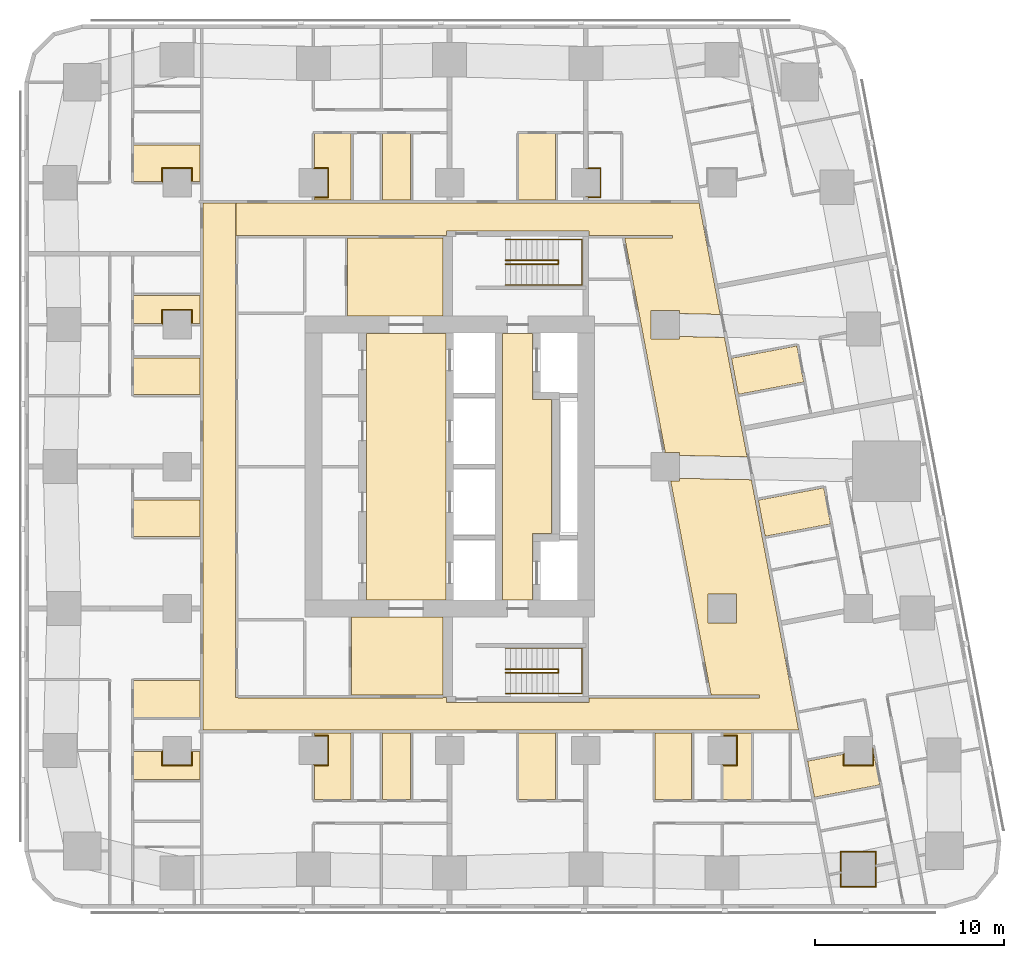
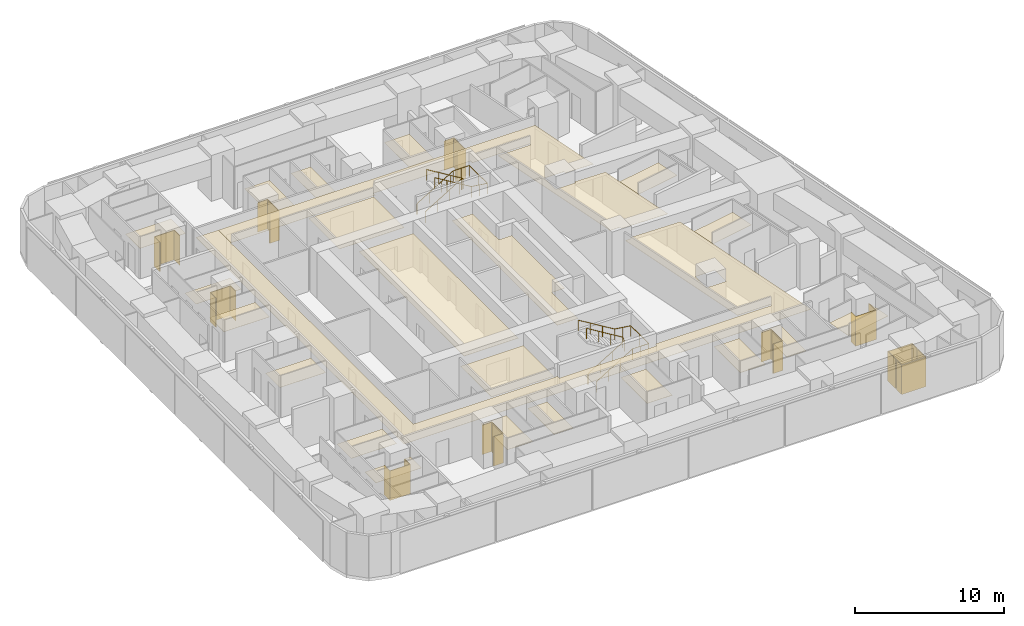
# One storey, part 14 of 15: 33 coverings, 4 railings.
"""IFC4 building model written with IfcOpenShell, lengths in metres."""

from ifc_helpers import new_model, si_unit, direction, frame, origin, origin_2d, place, context, subcontext, project, spatial, polyline, circle, outline, extrude, material, layer, layer_set, type_object, element, save


model = new_model("IFC4")

# Units and contexts
model_context = context("Model", 3, precision=1e-05, world=origin(), true_north=direction((0.0, 1.0)))
body_context = subcontext(model_context, "Body", "Model", "MODEL_VIEW")
ifc_project = project(units=[si_unit("LENGTHUNIT", "METRE"), si_unit("AREAUNIT", "SQUARE_METRE"), si_unit("VOLUMEUNIT", "CUBIC_METRE"), si_unit("PLANEANGLEUNIT", "RADIAN"), si_unit("MASSUNIT", "GRAM", prefix="KILO")], contexts=[model_context])

# Site, building, storey
site_placement = place(None, origin())
site = spatial("IfcSite", under=ifc_project, at=site_placement, CompositionType="ELEMENT")
building_placement = place(site_placement, origin())
building = spatial("IfcBuilding", under=site, at=building_placement, Name="Sheger Commons Tower", CompositionType="ELEMENT")
storey_placement = place(building_placement, frame((0.0, 0.0, 184.550048828125)))
storey = spatial("IfcBuildingStorey", under=building, at=storey_placement, Name="L47", CompositionType="ELEMENT", Elevation=184.550048828125)

# Railings
ifc_material_1 = material(Name="Steel handrail, black powder-coated", Category="steel")
railing_type = type_object("IfcRailingType", Name="HANDRAIL 900", PredefinedType="HANDRAIL", material=ifc_material_1)
railing_1_placement = place(storey_placement, frame((24.550048828125, 11.60009765625, 0.17041015625)))
element("IfcRailing", 1, at=railing_1_placement, inside=storey, type_object=railing_type, Name="Stair S1 handrail L47", PredefinedType="HANDRAIL", context=body_context, shape_type="SweptSolid", body=[
    extrude(circle(Radius=0.02392578125, at=origin_2d()), frame((0.0, 0.0, 0.8759765625), z_axis=(0.854169791009, 0.0, 0.51999420009), x_axis=(0.0, 1.0, 0.0)), (0.0, 0.0, 1.0), 3.278076171875),
    extrude(circle(Radius=0.02392578125, at=origin_2d()), frame((2.800048828125, 0.0, 2.58056640625), z_axis=(0.0, 0.761090297175, 0.648645943136), x_axis=(-1.0, 0.0, 0.0)), (0.0, 0.0, 1.0), 0.2626953125),
    extrude(circle(Radius=0.02392578125, at=origin_2d()), frame((2.800048828125, 0.199951171875, 2.7509765625), z_axis=(-0.854169791009, 0.0, 0.51999420009), x_axis=(0.0, -1.0, 0.0)), (0.0, 0.0, 1.0), 3.278076171875),
    extrude(circle(Radius=0.02099609375, at=origin_2d()), origin(), (0.0, 0.0, 1.0), 0.851806640625),
    extrude(circle(Radius=0.02099609375, at=origin_2d()), frame((0.933349609375, 0.0, 0.568115234375)), (0.0, 0.0, 1.0), 0.851806640625),
    extrude(circle(Radius=0.02099609375, at=origin_2d()), frame((1.86669921875, 0.0, 1.136474609375)), (0.0, 0.0, 1.0), 0.851806640625),
    extrude(circle(Radius=0.02099609375, at=origin_2d()), frame((2.800048828125, 0.0, 1.70458984375)), (0.0, 0.0, 1.0), 0.851806640625),
    extrude(circle(Radius=0.02099609375, at=origin_2d()), frame((2.800048828125, 0.199951171875, 1.875)), (0.0, 0.0, 1.0), 0.851806640625),
    extrude(circle(Radius=0.02099609375, at=origin_2d()), frame((1.86669921875, 0.199951171875, 2.443115234375)), (0.0, 0.0, 1.0), 0.851806640625),
    extrude(circle(Radius=0.02099609375, at=origin_2d()), frame((0.933349609375, 0.199951171875, 3.011474609375)), (0.0, 0.0, 1.0), 0.851806640625),
    extrude(circle(Radius=0.02099609375, at=origin_2d()), frame((0.0, 0.199951171875, 3.57958984375)), (0.0, 0.0, 1.0), 0.851806640625),
])
railing_2_placement = place(storey_placement, frame((24.550048828125, 10.5, 0.17041015625)))
element("IfcRailing", 2, at=railing_2_placement, inside=storey, type_object=railing_type, Name="Stair S1 handrail L47", PredefinedType="HANDRAIL", context=body_context, shape_type="SweptSolid", body=[
    extrude(circle(Radius=0.02392578125, at=origin_2d()), frame((0.0, 0.0, 0.8759765625), z_axis=(0.854169791009, 0.0, 0.51999420009), x_axis=(0.0, 1.0, 0.0)), (0.0, 0.0, 1.0), 3.278076171875),
    extrude(circle(Radius=0.02392578125, at=origin_2d()), frame((2.800048828125, 0.0, 2.58056640625), z_axis=(1.0, 0.0, 0.0), x_axis=(0.0, 1.0, 0.0)), (0.0, 0.0, 1.0), 1.25),
    extrude(circle(Radius=0.02392578125, at=origin_2d()), frame((4.050048828125, 0.0, 2.58056640625), z_axis=(0.0, 1.0, 0.0), x_axis=(-1.0, 0.0, 0.0)), (0.0, 0.0, 1.0), 2.39990234375),
    extrude(circle(Radius=0.02392578125, at=origin_2d()), frame((4.050048828125, 2.39990234375, 2.58056640625), z_axis=(-0.990834877927, 0.0, 0.135078661092), x_axis=(0.0, -1.0, 0.0)), (0.0, 0.0, 1.0), 1.261474609375),
    extrude(circle(Radius=0.02392578125, at=origin_2d()), frame((2.800048828125, 2.39990234375, 2.7509765625), z_axis=(-0.854169791009, 0.0, 0.51999420009), x_axis=(0.0, -1.0, 0.0)), (0.0, 0.0, 1.0), 3.278076171875),
    extrude(circle(Radius=0.02099609375, at=origin_2d()), origin(), (0.0, 0.0, 1.0), 0.851806640625),
    extrude(circle(Radius=0.02099609375, at=origin_2d()), frame((0.933349609375, 0.0, 0.568115234375)), (0.0, 0.0, 1.0), 0.851806640625),
    extrude(circle(Radius=0.02099609375, at=origin_2d()), frame((1.86669921875, 0.0, 1.136474609375)), (0.0, 0.0, 1.0), 0.851806640625),
    extrude(circle(Radius=0.02099609375, at=origin_2d()), frame((2.800048828125, 0.0, 1.70458984375)), (0.0, 0.0, 1.0), 0.851806640625),
    extrude(circle(Radius=0.02099609375, at=origin_2d()), frame((3.425048828125, 0.0, 1.70458984375)), (0.0, 0.0, 1.0), 0.851806640625),
    extrude(circle(Radius=0.02099609375, at=origin_2d()), frame((4.050048828125, 0.0, 1.70458984375)), (0.0, 0.0, 1.0), 0.851806640625),
    extrude(circle(Radius=0.02099609375, at=origin_2d()), frame((4.050048828125, 1.199951171875, 1.70458984375)), (0.0, 0.0, 1.0), 0.851806640625),
    extrude(circle(Radius=0.02099609375, at=origin_2d()), frame((4.050048828125, 2.39990234375, 1.70458984375)), (0.0, 0.0, 1.0), 0.851806640625),
    extrude(circle(Radius=0.02099609375, at=origin_2d()), frame((3.425048828125, 2.39990234375, 1.789794921875)), (0.0, 0.0, 1.0), 0.851806640625),
    extrude(circle(Radius=0.02099609375, at=origin_2d()), frame((2.800048828125, 2.39990234375, 1.875)), (0.0, 0.0, 1.0), 0.851806640625),
    extrude(circle(Radius=0.02099609375, at=origin_2d()), frame((1.86669921875, 2.39990234375, 2.443115234375)), (0.0, 0.0, 1.0), 0.851806640625),
    extrude(circle(Radius=0.02099609375, at=origin_2d()), frame((0.933349609375, 2.39990234375, 3.011474609375)), (0.0, 0.0, 1.0), 0.851806640625),
    extrude(circle(Radius=0.02099609375, at=origin_2d()), frame((0.0, 2.39990234375, 3.57958984375)), (0.0, 0.0, 1.0), 0.851806640625),
])
railing_3_placement = place(storey_placement, frame((24.550048828125, 33.39990234375, 0.17041015625)))
element("IfcRailing", 3, at=railing_3_placement, inside=storey, type_object=railing_type, Name="Stair S2 handrail L47", PredefinedType="HANDRAIL", context=body_context, shape_type="SweptSolid", body=[
    extrude(circle(Radius=0.02392578125, at=origin_2d()), frame((0.0, 0.0, 0.8759765625), z_axis=(0.854169791009, 0.0, 0.51999420009), x_axis=(0.0, 1.0, 0.0)), (0.0, 0.0, 1.0), 3.278076171875),
    extrude(circle(Radius=0.02392578125, at=origin_2d()), frame((2.800048828125, 0.0, 2.58056640625), z_axis=(0.0, -0.761090297175, 0.648645943136), x_axis=(1.0, 0.0, 0.0)), (0.0, 0.0, 1.0), 0.2626953125),
    extrude(circle(Radius=0.02392578125, at=origin_2d()), frame((2.800048828125, -0.199951171875, 2.7509765625), z_axis=(-0.854169791009, 0.0, 0.51999420009), x_axis=(0.0, -1.0, 0.0)), (0.0, 0.0, 1.0), 3.278076171875),
    extrude(circle(Radius=0.02099609375, at=origin_2d()), origin(), (0.0, 0.0, 1.0), 0.851806640625),
    extrude(circle(Radius=0.02099609375, at=origin_2d()), frame((0.933349609375, 0.0, 0.568115234375)), (0.0, 0.0, 1.0), 0.851806640625),
    extrude(circle(Radius=0.02099609375, at=origin_2d()), frame((1.86669921875, 0.0, 1.136474609375)), (0.0, 0.0, 1.0), 0.851806640625),
    extrude(circle(Radius=0.02099609375, at=origin_2d()), frame((2.800048828125, 0.0, 1.70458984375)), (0.0, 0.0, 1.0), 0.851806640625),
    extrude(circle(Radius=0.02099609375, at=origin_2d()), frame((2.800048828125, -0.199951171875, 1.875)), (0.0, 0.0, 1.0), 0.851806640625),
    extrude(circle(Radius=0.02099609375, at=origin_2d()), frame((1.86669921875, -0.199951171875, 2.443115234375)), (0.0, 0.0, 1.0), 0.851806640625),
    extrude(circle(Radius=0.02099609375, at=origin_2d()), frame((0.933349609375, -0.199951171875, 3.011474609375)), (0.0, 0.0, 1.0), 0.851806640625),
    extrude(circle(Radius=0.02099609375, at=origin_2d()), frame((0.0, -0.199951171875, 3.57958984375)), (0.0, 0.0, 1.0), 0.851806640625),
])
railing_4_placement = place(storey_placement, frame((24.550048828125, 34.5, 0.17041015625)))
element("IfcRailing", 4, at=railing_4_placement, inside=storey, type_object=railing_type, Name="Stair S2 handrail L47", PredefinedType="HANDRAIL", context=body_context, shape_type="SweptSolid", body=[
    extrude(circle(Radius=0.02392578125, at=origin_2d()), frame((0.0, 0.0, 0.8759765625), z_axis=(0.854169791009, 0.0, 0.51999420009), x_axis=(0.0, 1.0, 0.0)), (0.0, 0.0, 1.0), 3.278076171875),
    extrude(circle(Radius=0.02392578125, at=origin_2d()), frame((2.800048828125, 0.0, 2.58056640625), z_axis=(1.0, 0.0, 0.0), x_axis=(0.0, 1.0, 0.0)), (0.0, 0.0, 1.0), 1.25),
    extrude(circle(Radius=0.02392578125, at=origin_2d()), frame((4.050048828125, 0.0, 2.58056640625), z_axis=(0.0, -1.0, 0.0), x_axis=(1.0, 0.0, 0.0)), (0.0, 0.0, 1.0), 2.39990234375),
    extrude(circle(Radius=0.02392578125, at=origin_2d()), frame((4.050048828125, -2.39990234375, 2.58056640625), z_axis=(-0.990834877927, 0.0, 0.135078661092), x_axis=(0.0, -1.0, 0.0)), (0.0, 0.0, 1.0), 1.261474609375),
    extrude(circle(Radius=0.02392578125, at=origin_2d()), frame((2.800048828125, -2.39990234375, 2.7509765625), z_axis=(-0.854169791009, 0.0, 0.51999420009), x_axis=(0.0, -1.0, 0.0)), (0.0, 0.0, 1.0), 3.278076171875),
    extrude(circle(Radius=0.02099609375, at=origin_2d()), origin(), (0.0, 0.0, 1.0), 0.851806640625),
    extrude(circle(Radius=0.02099609375, at=origin_2d()), frame((0.933349609375, 0.0, 0.568115234375)), (0.0, 0.0, 1.0), 0.851806640625),
    extrude(circle(Radius=0.02099609375, at=origin_2d()), frame((1.86669921875, 0.0, 1.136474609375)), (0.0, 0.0, 1.0), 0.851806640625),
    extrude(circle(Radius=0.02099609375, at=origin_2d()), frame((2.800048828125, 0.0, 1.70458984375)), (0.0, 0.0, 1.0), 0.851806640625),
    extrude(circle(Radius=0.02099609375, at=origin_2d()), frame((3.425048828125, 0.0, 1.70458984375)), (0.0, 0.0, 1.0), 0.851806640625),
    extrude(circle(Radius=0.02099609375, at=origin_2d()), frame((4.050048828125, 0.0, 1.70458984375)), (0.0, 0.0, 1.0), 0.851806640625),
    extrude(circle(Radius=0.02099609375, at=origin_2d()), frame((4.050048828125, -1.199951171875, 1.70458984375)), (0.0, 0.0, 1.0), 0.851806640625),
    extrude(circle(Radius=0.02099609375, at=origin_2d()), frame((4.050048828125, -2.39990234375, 1.70458984375)), (0.0, 0.0, 1.0), 0.851806640625),
    extrude(circle(Radius=0.02099609375, at=origin_2d()), frame((3.425048828125, -2.39990234375, 1.789794921875)), (0.0, 0.0, 1.0), 0.851806640625),
    extrude(circle(Radius=0.02099609375, at=origin_2d()), frame((2.800048828125, -2.39990234375, 1.875)), (0.0, 0.0, 1.0), 0.851806640625),
    extrude(circle(Radius=0.02099609375, at=origin_2d()), frame((1.86669921875, -2.39990234375, 2.443115234375)), (0.0, 0.0, 1.0), 0.851806640625),
    extrude(circle(Radius=0.02099609375, at=origin_2d()), frame((0.933349609375, -2.39990234375, 3.011474609375)), (0.0, 0.0, 1.0), 0.851806640625),
    extrude(circle(Radius=0.02099609375, at=origin_2d()), frame((0.0, -2.39990234375, 3.57958984375)), (0.0, 0.0, 1.0), 0.851806640625),
])

# Coverings
ifc_material_2 = material(Name="Moisture-resistant gypsum plasterboard 15 mm on a suspended galvanised steel grid", Category="steel")
ifc_layer_1 = layer(ifc_material_2, 0.014892578125)
ifc_layer_set_1 = layer_set([ifc_layer_1], Name="MOISTURE-RESISTANT CEILING 15")
covering_type_1 = type_object("IfcCoveringType", Name="MOISTURE-RESISTANT CEILING 15", PredefinedType="CEILING", material=ifc_layer_set_1)
covering_1_placement = place(storey_placement, frame((0.0, 0.0, 2.39990234375)))
element("IfcCovering", 5, at=covering_1_placement, inside=storey, type_object=covering_type_1, Name="L47-01.B1 ceiling", PredefinedType="CEILING", context=body_context, shape_type="SweptSolid", body=[
    extrude(outline(polyline([(4.905029296875, 9.2548828125), (8.419921875, 9.2548828125), (8.419921875, 11.195068359375), (4.905029296875, 11.195068359375), (4.905029296875, 9.2548828125)])), origin(), (0.0, 0.0, 1.0), 0.01513671875),
])
covering_2_placement = place(storey_placement, frame((0.0, 0.0, 2.39990234375)))
element("IfcCovering", 6, at=covering_2_placement, inside=storey, type_object=covering_type_1, Name="L47-01.B2 ceiling", PredefinedType="CEILING", context=body_context, shape_type="SweptSolid", body=[
    extrude(outline(polyline([(4.905029296875, 5.955078125), (8.419921875, 5.955078125), (8.419921875, 7.445068359375), (7.955078125, 7.445068359375), (7.955078125, 6.7451171875), (6.445068359375, 6.7451171875), (6.445068359375, 7.445068359375), (4.905029296875, 7.445068359375), (4.905029296875, 5.955078125)])), origin(), (0.0, 0.0, 1.0), 0.01513671875),
])
covering_3_placement = place(storey_placement, frame((0.0, 0.0, 2.39990234375)))
element("IfcCovering", 7, at=covering_3_placement, inside=storey, type_object=covering_type_1, Name="L47-02.B1 ceiling", PredefinedType="CEILING", context=body_context, shape_type="SweptSolid", body=[
    extrude(outline(polyline([(4.905029296875, 18.804931640625), (8.419921875, 18.804931640625), (8.419921875, 20.7451171875), (4.905029296875, 20.7451171875), (4.905029296875, 18.804931640625)])), origin(), (0.0, 0.0, 1.0), 0.01513671875),
])
covering_4_placement = place(storey_placement, frame((0.0, 0.0, 2.39990234375)))
element("IfcCovering", 8, at=covering_4_placement, inside=storey, type_object=covering_type_1, Name="L47-03.B1 ceiling", PredefinedType="CEILING", context=body_context, shape_type="SweptSolid", body=[
    extrude(outline(polyline([(4.905029296875, 26.304931640625), (8.419921875, 26.304931640625), (8.419921875, 28.2451171875), (4.905029296875, 28.2451171875), (4.905029296875, 26.304931640625)])), origin(), (0.0, 0.0, 1.0), 0.01513671875),
])
covering_5_placement = place(storey_placement, frame((0.0, 0.0, 2.39990234375)))
element("IfcCovering", 9, at=covering_5_placement, inside=storey, type_object=covering_type_1, Name="L47-03.B2 ceiling", PredefinedType="CEILING", context=body_context, shape_type="SweptSolid", body=[
    extrude(outline(polyline([(4.905029296875, 30.054931640625), (6.445068359375, 30.054931640625), (6.445068359375, 30.7548828125), (7.955078125, 30.7548828125), (7.955078125, 30.054931640625), (8.419921875, 30.054931640625), (8.419921875, 31.544921875), (4.905029296875, 31.544921875), (4.905029296875, 30.054931640625)])), origin(), (0.0, 0.0, 1.0), 0.01513671875),
])
covering_6_placement = place(storey_placement, frame((0.0, 0.0, 2.39990234375)))
element("IfcCovering", 10, at=covering_6_placement, inside=storey, type_object=covering_type_1, Name="L47-04.B1 ceiling", PredefinedType="CEILING", context=body_context, shape_type="SweptSolid", body=[
    extrude(outline(polyline([(4.905029296875, 37.554931640625), (6.445068359375, 37.554931640625), (6.445068359375, 38.2548828125), (7.955078125, 38.2548828125), (7.955078125, 37.554931640625), (8.419921875, 37.554931640625), (8.419921875, 39.4951171875), (4.905029296875, 39.4951171875), (4.905029296875, 37.554931640625)])), origin(), (0.0, 0.0, 1.0), 0.01513671875),
])
covering_7_placement = place(storey_placement, frame((0.0, 0.0, 2.39990234375)))
element("IfcCovering", 11, at=covering_7_placement, inside=storey, type_object=covering_type_1, Name="L47-05.B1 ceiling", PredefinedType="CEILING", context=body_context, shape_type="SweptSolid", body=[
    extrude(outline(polyline([(14.455078125, 4.905029296875), (16.39501953125, 4.905029296875), (16.39501953125, 8.419921875), (14.455078125, 8.419921875), (14.455078125, 8.2548828125), (15.155029296875, 8.2548828125), (15.155029296875, 6.7451171875), (14.455078125, 6.7451171875), (14.455078125, 4.905029296875)])), origin(), (0.0, 0.0, 1.0), 0.01513671875),
])
covering_8_placement = place(storey_placement, frame((0.0, 0.0, 2.39990234375)))
element("IfcCovering", 12, at=covering_8_placement, inside=storey, type_object=covering_type_1, Name="L47-05.B2 ceiling", PredefinedType="CEILING", context=body_context, shape_type="SweptSolid", body=[
    extrude(outline(polyline([(18.054931640625, 4.905029296875), (19.544921875, 4.905029296875), (19.544921875, 8.419921875), (18.054931640625, 8.419921875), (18.054931640625, 4.905029296875)])), origin(), (0.0, 0.0, 1.0), 0.01513671875),
])
covering_9_placement = place(storey_placement, frame((0.0, 0.0, 2.39990234375)))
element("IfcCovering", 13, at=covering_9_placement, inside=storey, type_object=covering_type_1, Name="L47-06.B1 ceiling", PredefinedType="CEILING", context=body_context, shape_type="SweptSolid", body=[
    extrude(outline(polyline([(25.2548828125, 4.905029296875), (27.195068359375, 4.905029296875), (27.195068359375, 8.419921875), (25.2548828125, 8.419921875), (25.2548828125, 4.905029296875)])), origin(), (0.0, 0.0, 1.0), 0.01513671875),
])
covering_10_placement = place(storey_placement, frame((0.0, 0.0, 2.39990234375)))
element("IfcCovering", 14, at=covering_10_placement, inside=storey, type_object=covering_type_1, Name="L47-07.B1 ceiling", PredefinedType="CEILING", context=body_context, shape_type="SweptSolid", body=[
    extrude(outline(polyline([(32.455078125, 4.905029296875), (34.39501953125, 4.905029296875), (34.39501953125, 8.419921875), (32.455078125, 8.419921875), (32.455078125, 4.905029296875)])), origin(), (0.0, 0.0, 1.0), 0.01513671875),
])
covering_11_placement = place(storey_placement, frame((0.0, 0.0, 2.39990234375)))
element("IfcCovering", 15, at=covering_11_placement, inside=storey, type_object=covering_type_1, Name="L47-07.B2 ceiling", PredefinedType="CEILING", context=body_context, shape_type="SweptSolid", body=[
    extrude(outline(polyline([(36.054931640625, 4.905029296875), (37.544921875, 4.905029296875), (37.544921875, 8.419921875), (36.054931640625, 8.419921875), (36.054931640625, 8.2548828125), (36.7548828125, 8.2548828125), (36.7548828125, 6.7451171875), (36.054931640625, 6.7451171875), (36.054931640625, 4.905029296875)])), origin(), (0.0, 0.0, 1.0), 0.01513671875),
])
covering_12_placement = place(storey_placement, frame((0.0, 0.0, 2.39990234375)))
element("IfcCovering", 16, at=covering_12_placement, inside=storey, type_object=covering_type_1, Name="L47-09.B1 ceiling", PredefinedType="CEILING", context=body_context, shape_type="SweptSolid", body=[
    extrude(outline(polyline([(36.85888671875, 26.319091796875), (40.31298828125, 26.970947265625), (39.952880859375, 28.8779296875), (36.4990234375, 28.22509765625), (36.85888671875, 26.319091796875)])), origin(), (0.0, 0.0, 1.0), 0.01513671875),
])
covering_13_placement = place(storey_placement, frame((0.0, 0.0, 2.39990234375)))
element("IfcCovering", 17, at=covering_13_placement, inside=storey, type_object=covering_type_1, Name="L47-10.B1 ceiling", PredefinedType="CEILING", context=body_context, shape_type="SweptSolid", body=[
    extrude(outline(polyline([(38.27587890625, 18.819091796875), (41.72998046875, 19.470947265625), (41.3701171875, 21.3779296875), (37.916015625, 20.72607421875), (38.27587890625, 18.819091796875)])), origin(), (0.0, 0.0, 1.0), 0.01513671875),
])
covering_14_placement = place(storey_placement, frame((0.0, 0.0, 2.39990234375)))
element("IfcCovering", 18, at=covering_14_placement, inside=storey, type_object=covering_type_1, Name="L47-11.B1 ceiling", PredefinedType="CEILING", context=body_context, shape_type="SweptSolid", body=[
    extrude(outline(polyline([(40.8798828125, 5.031982421875), (44.333984375, 5.68408203125), (43.964111328125, 7.64501953125), (43.955078125, 7.64306640625), (43.955078125, 6.7451171875), (42.445068359375, 6.7451171875), (42.445068359375, 7.302001953125), (40.52001953125, 6.93798828125), (40.8798828125, 5.031982421875)])), origin(), (0.0, 0.0, 1.0), 0.01513671875),
])
covering_15_placement = place(storey_placement, frame((0.0, 0.0, 2.39990234375)))
element("IfcCovering", 19, at=covering_15_placement, inside=storey, type_object=covering_type_1, Name="L47-12.B1 ceiling", PredefinedType="CEILING", context=body_context, shape_type="SweptSolid", body=[
    extrude(outline(polyline([(14.455078125, 36.580078125), (16.39501953125, 36.580078125), (16.39501953125, 40.094970703125), (14.455078125, 40.094970703125), (14.455078125, 38.2548828125), (15.155029296875, 38.2548828125), (15.155029296875, 36.7451171875), (14.455078125, 36.7451171875), (14.455078125, 36.580078125)])), origin(), (0.0, 0.0, 1.0), 0.01513671875),
])
covering_16_placement = place(storey_placement, frame((0.0, 0.0, 2.39990234375)))
element("IfcCovering", 20, at=covering_16_placement, inside=storey, type_object=covering_type_1, Name="L47-12.B2 ceiling", PredefinedType="CEILING", context=body_context, shape_type="SweptSolid", body=[
    extrude(outline(polyline([(18.054931640625, 36.580078125), (19.544921875, 36.580078125), (19.544921875, 40.094970703125), (18.054931640625, 40.094970703125), (18.054931640625, 36.580078125)])), origin(), (0.0, 0.0, 1.0), 0.01513671875),
])
covering_17_placement = place(storey_placement, frame((0.0, 0.0, 2.39990234375)))
element("IfcCovering", 21, at=covering_17_placement, inside=storey, type_object=covering_type_1, Name="L47-13.B1 ceiling", PredefinedType="CEILING", context=body_context, shape_type="SweptSolid", body=[
    extrude(outline(polyline([(25.2548828125, 36.580078125), (27.195068359375, 36.580078125), (27.195068359375, 40.094970703125), (25.2548828125, 40.094970703125), (25.2548828125, 36.580078125)])), origin(), (0.0, 0.0, 1.0), 0.01513671875),
])
ifc_material_3 = material(Name="Gypsum plasterboard 15 mm on a suspended steel grid", Category="steel")
ifc_layer_2 = layer(ifc_material_3, 0.014892578125)
ifc_layer_set_2 = layer_set([ifc_layer_2], Name="SUSPENDED CEILING 15")
covering_type_2 = type_object("IfcCoveringType", Name="SUSPENDED CEILING 15", PredefinedType="CEILING", material=ifc_layer_set_2)
covering_18_placement = place(storey_placement, frame((0.0, 0.0, 2.699951171875)))
element("IfcCovering", 22, at=covering_18_placement, inside=storey, type_object=covering_type_2, Name="L47-CO ceiling", PredefinedType="CEILING", context=body_context, shape_type="SweptSolid", body=[
    extrude(outline(polyline([(8.580078125, 8.580078125), (40.047119140625, 8.580078125), (37.549072265625, 21.802978515625), (33.7548828125, 21.8798828125), (33.7548828125, 21.7451171875), (33.283935546875, 21.7451171875), (35.4208984375, 10.431884765625), (35.384033203125, 10.425048828125), (35.385986328125, 10.41796875), (37.968017578125, 10.41796875), (37.968017578125, 10.281982421875), (28.955078125, 10.281982421875), (28.955078125, 10.044921875), (21.445068359375, 10.044921875), (21.445068359375, 10.300048828125), (21.2548828125, 10.300048828125), (21.2548828125, 10.281982421875), (10.407958984375, 10.281982421875), (10.407958984375, 10.294921875), (10.281982421875, 10.294921875), (10.281982421875, 34.705078125), (10.298095703125, 34.705078125), (10.298095703125, 36.419921875), (8.580078125, 36.419921875), (8.580078125, 8.580078125)]), holes=[polyline([(35.2451171875, 15.7548828125), (36.7548828125, 15.7548828125), (36.7548828125, 14.2451171875), (35.2451171875, 14.2451171875), (35.2451171875, 15.7548828125)])]), origin(), (0.0, 0.0, 1.0), 0.014892578125),
])
covering_19_placement = place(storey_placement, frame((0.0, 0.0, 2.699951171875)))
element("IfcCovering", 23, at=covering_19_placement, inside=storey, type_object=covering_type_2, Name="L47-CO ceiling", PredefinedType="CEILING", context=body_context, shape_type="SweptSolid", body=[
    extrude(outline(polyline([(37.320068359375, 23.01806640625), (36.12890625, 29.323974609375), (33.7548828125, 29.3779296875), (33.7548828125, 29.2451171875), (32.2451171875, 29.2451171875), (32.2451171875, 30.7548828125), (33.7548828125, 30.7548828125), (33.7548828125, 30.587890625), (35.89892578125, 30.5400390625), (34.77294921875, 36.5), (34.77001953125, 36.5), (34.77001953125, 36.419921875), (33.365966796875, 36.419921875), (33.361083984375, 34.719970703125), (33.361083984375, 36.419921875), (10.302978515625, 36.419921875), (10.302978515625, 34.705078125), (10.407958984375, 34.705078125), (10.407958984375, 34.718017578125), (21.2548828125, 34.718017578125), (21.2548828125, 34.699951171875), (21.445068359375, 34.699951171875), (21.445068359375, 34.955078125), (28.955078125, 34.955078125), (28.955078125, 34.718017578125), (33.361083984375, 34.718017578125), (33.3779296875, 34.718017578125), (33.3779296875, 34.58203125), (30.85888671875, 34.58203125), (32.99609375, 23.27099609375), (32.958984375, 23.263916015625), (32.9609375, 23.2548828125), (33.7548828125, 23.2548828125), (33.7548828125, 23.090087890625), (37.320068359375, 23.01806640625)])), origin(), (0.0, 0.0, 1.0), 0.014892578125),
])
covering_20_placement = place(storey_placement, frame((0.0, 0.0, 2.699951171875)))
element("IfcCovering", 24, at=covering_20_placement, inside=storey, type_object=covering_type_2, Name="L47-SVS1 ceiling", PredefinedType="CEILING", context=body_context, shape_type="SweptSolid", body=[
    extrude(outline(polyline([(16.406982421875, 10.41796875), (21.2451171875, 10.41796875), (21.2451171875, 14.544921875), (16.406982421875, 14.544921875), (16.406982421875, 10.41796875)])), origin(), (0.0, 0.0, 1.0), 0.014892578125),
])
covering_21_placement = place(storey_placement, frame((0.0, 0.0, 2.699951171875)))
element("IfcCovering", 25, at=covering_21_placement, inside=storey, type_object=covering_type_2, Name="L47-SVN1 ceiling", PredefinedType="CEILING", context=body_context, shape_type="SweptSolid", body=[
    extrude(outline(polyline([(16.217041015625, 30.455078125), (21.2451171875, 30.455078125), (21.2451171875, 34.58203125), (16.217041015625, 34.58203125), (16.217041015625, 30.455078125)])), origin(), (0.0, 0.0, 1.0), 0.014892578125),
])
covering_22_placement = place(storey_placement, frame((0.0, 0.0, 2.699951171875)))
element("IfcCovering", 26, at=covering_22_placement, inside=storey, type_object=covering_type_2, Name="L47-LL ceiling", PredefinedType="CEILING", context=body_context, shape_type="SweptSolid", body=[
    extrude(outline(polyline([(17.205078125, 15.455078125), (21.39990234375, 15.455078125), (21.39990234375, 29.544921875), (17.205078125, 29.544921875), (17.205078125, 15.455078125)])), origin(), (0.0, 0.0, 1.0), 0.014892578125),
])
covering_23_placement = place(storey_placement, frame((0.0, 0.0, 2.699951171875)))
element("IfcCovering", 27, at=covering_23_placement, inside=storey, type_object=covering_type_2, Name="L47-FL ceiling", PredefinedType="CEILING", context=body_context, shape_type="SweptSolid", body=[
    extrude(outline(polyline([(24.405029296875, 15.455078125), (25.9951171875, 15.455078125), (25.9951171875, 18.955078125), (26.9951171875, 18.955078125), (26.9951171875, 26.044921875), (25.9951171875, 26.044921875), (25.9951171875, 29.544921875), (24.405029296875, 29.544921875), (24.405029296875, 15.455078125)])), origin(), (0.0, 0.0, 1.0), 0.014892578125),
])
ifc_material_4 = material(Name="Moisture-resistant gypsum board 12.5 mm on 25 mm treated timber battens, tanked and tiled", Category="wood")
ifc_layer_3 = layer(ifc_material_4, 0.050048828125)
ifc_layer_set_3 = layer_set([ifc_layer_3], Name="WET-ROOM COLUMN LINING")
covering_type_3 = type_object("IfcCoveringType", Name="WET-ROOM COLUMN LINING", PredefinedType="CLADDING", material=ifc_layer_set_3)
covering_24_placement = place(storey_placement, origin())
element("IfcCovering", 28, at=covering_24_placement, inside=storey, type_object=covering_type_3, Name="Laundry room column lining C8 L47", PredefinedType="CLADDING", context=body_context, shape_type="SweptSolid", body=[
    extrude(outline(polyline([(44.14990234375, 2.175048828125), (44.14990234375, 1.455078125), (44.10107421875, 1.446044921875), (44.110107421875, 1.39697265625), (44.10009765625, 1.39501953125), (44.10009765625, 2.125), (42.300048828125, 2.125), (42.300048828125, 1.055908203125), (42.2900390625, 1.053955078125), (42.281005859375, 1.10205078125), (42.25, 1.095947265625), (42.25, 2.175048828125), (44.14990234375, 2.175048828125)])), origin(), (0.0, 0.0, 1.0), 2.39990234375),
])
covering_25_placement = place(storey_placement, origin())
element("IfcCovering", 29, at=covering_25_placement, inside=storey, type_object=covering_type_3, Name="Laundry room column lining C8 L47", PredefinedType="CLADDING", context=body_context, shape_type="SweptSolid", body=[
    extrude(outline(polyline([(42.300048828125, 1.055908203125), (42.300048828125, 0.324951171875), (44.10009765625, 0.324951171875), (44.10009765625, 1.39501953125), (44.110107421875, 1.39697265625), (44.118896484375, 1.347900390625), (44.14990234375, 1.35400390625), (44.14990234375, 0.27490234375), (42.25, 0.27490234375), (42.25, 0.9951171875), (42.299072265625, 1.00390625), (42.2900390625, 1.053955078125), (42.300048828125, 1.055908203125)])), origin(), (0.0, 0.0, 1.0), 2.39990234375),
])
covering_26_placement = place(storey_placement, origin())
element("IfcCovering", 30, at=covering_26_placement, inside=storey, type_object=covering_type_3, Name="Shower room column lining C10 L47", PredefinedType="CLADDING", context=body_context, shape_type="SweptSolid", body=[
    extrude(outline(polyline([(6.449951171875, 7.5), (6.449951171875, 6.75), (7.949951171875, 6.75), (7.949951171875, 7.5), (7.950927734375, 7.5), (7.950927734375, 7.449951171875), (8.0, 7.449951171875), (8.0, 6.699951171875), (6.39990234375, 6.699951171875), (6.39990234375, 7.449951171875), (6.448974609375, 7.449951171875), (6.448974609375, 7.5), (6.449951171875, 7.5)])), origin(), (0.0, 0.0, 1.0), 2.39990234375),
])
covering_27_placement = place(storey_placement, origin())
element("IfcCovering", 31, at=covering_27_placement, inside=storey, type_object=covering_type_3, Name="Bathroom column lining C10 L47", PredefinedType="CLADDING", context=body_context, shape_type="SweptSolid", body=[
    extrude(outline(polyline([(15.199951171875, 6.699951171875), (14.449951171875, 6.699951171875), (14.449951171875, 6.7490234375), (14.39990234375, 6.7490234375), (14.39990234375, 6.75), (15.14990234375, 6.75), (15.14990234375, 8.25), (14.39990234375, 8.25), (14.39990234375, 8.2509765625), (14.449951171875, 8.2509765625), (14.449951171875, 8.300048828125), (15.199951171875, 8.300048828125), (15.199951171875, 6.699951171875)])), origin(), (0.0, 0.0, 1.0), 2.39990234375),
])
covering_28_placement = place(storey_placement, origin())
element("IfcCovering", 32, at=covering_28_placement, inside=storey, type_object=covering_type_3, Name="Shower room column lining C10 L47", PredefinedType="CLADDING", context=body_context, shape_type="SweptSolid", body=[
    extrude(outline(polyline([(36.800048828125, 6.699951171875), (36.050048828125, 6.699951171875), (36.050048828125, 6.7490234375), (36.0, 6.7490234375), (36.0, 6.75), (36.75, 6.75), (36.75, 8.25), (36.0, 8.25), (36.0, 8.2509765625), (36.050048828125, 8.2509765625), (36.050048828125, 8.300048828125), (36.800048828125, 8.300048828125), (36.800048828125, 6.699951171875)])), origin(), (0.0, 0.0, 1.0), 2.39990234375),
])
covering_29_placement = place(storey_placement, origin())
element("IfcCovering", 33, at=covering_29_placement, inside=storey, type_object=covering_type_3, Name="Bathroom column lining C10 L47", PredefinedType="CLADDING", context=body_context, shape_type="SweptSolid", body=[
    extrude(outline(polyline([(42.449951171875, 7.35888671875), (42.449951171875, 6.75), (43.949951171875, 6.75), (43.949951171875, 7.64208984375), (43.968994140625, 7.64599609375), (44.0, 7.47998046875), (44.0, 6.699951171875), (42.39990234375, 6.699951171875), (42.39990234375, 7.299072265625), (42.448974609375, 7.30810546875), (42.43994140625, 7.35693359375), (42.449951171875, 7.35888671875)])), origin(), (0.0, 0.0, 1.0), 2.39990234375),
])
covering_30_placement = place(storey_placement, origin())
element("IfcCovering", 34, at=covering_30_placement, inside=storey, type_object=covering_type_3, Name="Shower room column lining C10 L47", PredefinedType="CLADDING", context=body_context, shape_type="SweptSolid", body=[
    extrude(outline(polyline([(8.0, 30.800048828125), (8.0, 30.050048828125), (7.950927734375, 30.050048828125), (7.950927734375, 30.0), (7.949951171875, 30.0), (7.949951171875, 30.75), (6.449951171875, 30.75), (6.449951171875, 30.0), (6.448974609375, 30.0), (6.448974609375, 30.050048828125), (6.39990234375, 30.050048828125), (6.39990234375, 30.800048828125), (8.0, 30.800048828125)])), origin(), (0.0, 0.0, 1.0), 2.39990234375),
])
covering_31_placement = place(storey_placement, origin())
element("IfcCovering", 35, at=covering_31_placement, inside=storey, type_object=covering_type_3, Name="Bathroom column lining C10 L47", PredefinedType="CLADDING", context=body_context, shape_type="SweptSolid", body=[
    extrude(outline(polyline([(8.0, 38.300048828125), (8.0, 37.550048828125), (7.950927734375, 37.550048828125), (7.950927734375, 37.5), (7.949951171875, 37.5), (7.949951171875, 38.25), (6.449951171875, 38.25), (6.449951171875, 37.5), (6.448974609375, 37.5), (6.448974609375, 37.550048828125), (6.39990234375, 37.550048828125), (6.39990234375, 38.300048828125), (8.0, 38.300048828125)])), origin(), (0.0, 0.0, 1.0), 2.39990234375),
])
covering_32_placement = place(storey_placement, origin())
element("IfcCovering", 36, at=covering_32_placement, inside=storey, type_object=covering_type_3, Name="Bathroom column lining C10 L47", PredefinedType="CLADDING", context=body_context, shape_type="SweptSolid", body=[
    extrude(outline(polyline([(15.199951171875, 36.699951171875), (14.449951171875, 36.699951171875), (14.449951171875, 36.7490234375), (14.39990234375, 36.7490234375), (14.39990234375, 36.75), (15.14990234375, 36.75), (15.14990234375, 38.25), (14.39990234375, 38.25), (14.39990234375, 38.2509765625), (14.449951171875, 38.2509765625), (14.449951171875, 38.300048828125), (15.199951171875, 38.300048828125), (15.199951171875, 36.699951171875)])), origin(), (0.0, 0.0, 1.0), 2.39990234375),
])
covering_33_placement = place(storey_placement, origin())
element("IfcCovering", 37, at=covering_33_placement, inside=storey, type_object=covering_type_3, Name="Shower room column lining C10 L47", PredefinedType="CLADDING", context=body_context, shape_type="SweptSolid", body=[
    extrude(outline(polyline([(29.60009765625, 36.699951171875), (28.925048828125, 36.699951171875), (28.925048828125, 36.7490234375), (28.800048828125, 36.7490234375), (28.800048828125, 36.75), (29.550048828125, 36.75), (29.550048828125, 38.25), (28.800048828125, 38.25), (28.800048828125, 38.2509765625), (28.925048828125, 38.2509765625), (28.925048828125, 38.300048828125), (29.60009765625, 38.300048828125), (29.60009765625, 36.699951171875)])), origin(), (0.0, 0.0, 1.0), 2.39990234375),
])

save(model, "model.ifc")
